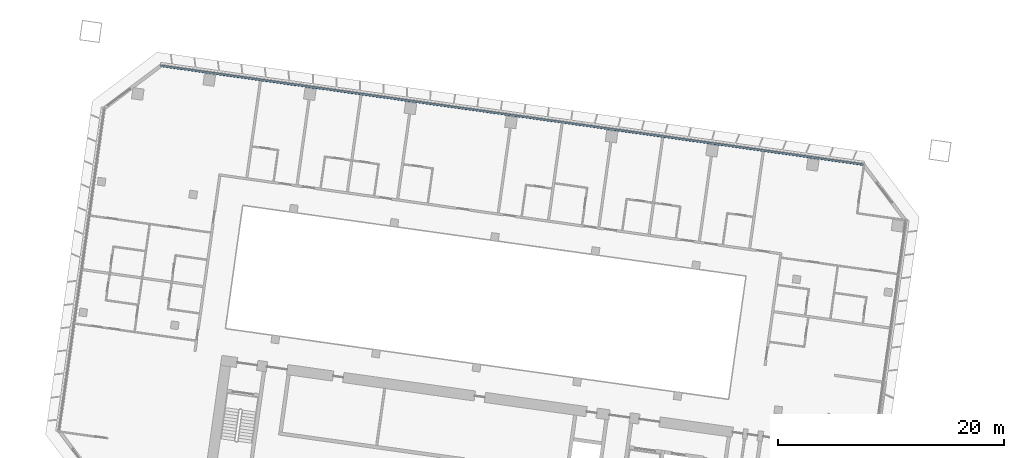
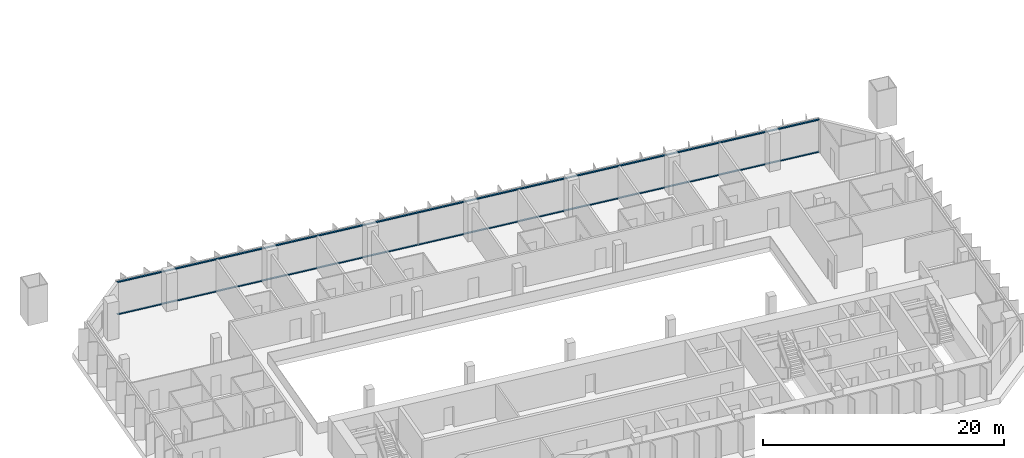
# One storey, part 4 of 24: 2 members, 1 element without a shape of its own.
"""IFC4 building model written with IfcOpenShell, lengths in metres."""

from ifc_helpers import new_model, si_unit, direction, frame, origin, origin_2d, place, context, subcontext, project, spatial, rectangle, extrude, material, material_profile, profile_set, type_object, element, aggregate, save


model = new_model("IFC4")

# Units and contexts
model_context = context("Model", 3, precision=1e-05, world=origin(), true_north=direction((0.0, 1.0)))
body_context = subcontext(model_context, "Body", "Model", "MODEL_VIEW")
ifc_project = project(units=[si_unit("LENGTHUNIT", "METRE"), si_unit("AREAUNIT", "SQUARE_METRE"), si_unit("VOLUMEUNIT", "CUBIC_METRE"), si_unit("PLANEANGLEUNIT", "RADIAN"), si_unit("MASSUNIT", "GRAM", prefix="KILO")], contexts=[model_context])

# Site, building, storey
site_placement = place(None, origin())
site = spatial("IfcSite", under=ifc_project, at=site_placement, CompositionType="ELEMENT")
building_placement = place(site_placement, origin())
building = spatial("IfcBuilding", under=site, at=building_placement, Name="Mirante Cascada Hotel Towers", CompositionType="ELEMENT")
storey_placement = place(building_placement, frame((0.0, 0.0, 43.3)))
storey = spatial("IfcBuildingStorey", under=building, at=storey_placement, Name="L07", CompositionType="ELEMENT", Elevation=43.3)

# Curtain wall, members
ifc_material_1 = material(Name="Aluminium mullion and transom frame with clear laminated glass", Category="aluminium")
curtain_wall_type = type_object("IfcCurtainWallType", Name="Ribbon curtain wall ECW1", PredefinedType="NOTDEFINED", material=ifc_material_1)
curtain_wall_placement = place(storey_placement, origin())
curtain_wall = element("IfcCurtainWall", 1, at=curtain_wall_placement, inside=storey, type_object=curtain_wall_type, Name="Front ribbon wall T1 L07", PredefinedType="NOTDEFINED")
ifc_material_2 = material(Name="Anodised aluminium extrusion", Category="aluminium")
ifc_material_profile = material_profile(ifc_material_2, rectangle(XDim=0.16, YDim=0.1, at=origin_2d()), Name="ECW1 TRANSOM 100x160")
ifc_profile_set = profile_set([ifc_material_profile], Name="Anodised aluminium extrusion")
member_type = type_object("IfcMemberType", Name="ECW1 transom 100x160", PredefinedType="USERDEFINED", material=ifc_profile_set)
member_1_placement = place(storey_placement, frame((-94.1582, 26.0521, 0.05), z_axis=(0.9902681, -0.1391728, 0.0), x_axis=(0.1391728, 0.9902681, 0.0)))
member_1 = element("IfcMember", 2, at=member_1_placement, type_object=member_type, Name="ECW1 sill transom", ObjectType="TRANSOM", PredefinedType="USERDEFINED", context=body_context, shape_type="SweptSolid", body=[
    extrude(rectangle(XDim=0.16, YDim=0.1, at=origin_2d()), origin(), (0.0, 0.0, 1.0), 62.8758),
])
member_2_placement = place(storey_placement, frame((-94.1582, 26.0521, 3.3), z_axis=(0.9902681, -0.1391728, 0.0), x_axis=(0.1391728, 0.9902681, 0.0)))
member_2 = element("IfcMember", 3, at=member_2_placement, type_object=member_type, Name="ECW1 head transom", ObjectType="TRANSOM", PredefinedType="USERDEFINED", context=body_context, shape_type="SweptSolid", body=[
    extrude(rectangle(XDim=0.16, YDim=0.1, at=origin_2d()), origin(), (0.0, 0.0, 1.0), 62.8758),
])
aggregate(curtain_wall, [member_1, member_2])

save(model, "model.ifc")
